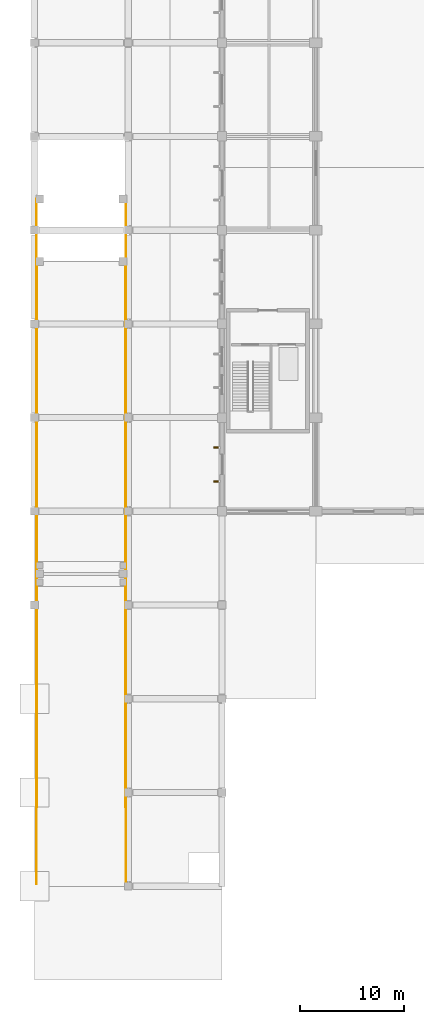
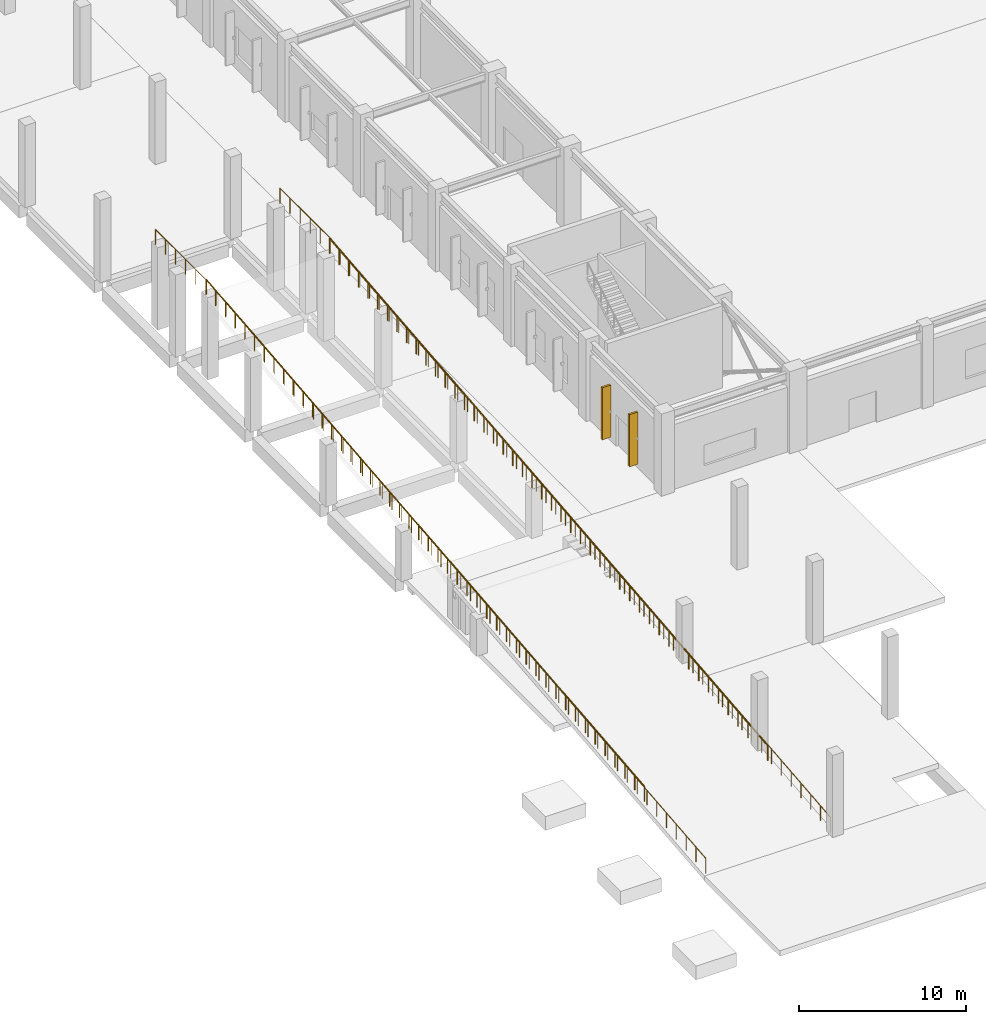
# One storey, part 77 of 91: 6 railings, 2 shading devices.
"""IFC4 building model written with IfcOpenShell, lengths in metres."""

from ifc_helpers import new_model, si_unit, direction, frame, origin, origin_2d, place, context, subcontext, project, spatial, rectangle, circle, extrude, material, layer, layer_set, type_object, element, save


model = new_model("IFC4")

# Units and contexts
model_context = context("Model", 3, precision=1e-05, world=origin(), true_north=direction((0.0, 1.0)))
body_context = subcontext(model_context, "Body", "Model", "MODEL_VIEW")
ifc_project = project(units=[si_unit("LENGTHUNIT", "METRE"), si_unit("AREAUNIT", "SQUARE_METRE"), si_unit("VOLUMEUNIT", "CUBIC_METRE"), si_unit("PLANEANGLEUNIT", "RADIAN"), si_unit("MASSUNIT", "GRAM", prefix="KILO")], contexts=[model_context])

# Site, building, storey
site_placement = place(None, origin())
site = spatial("IfcSite", under=ifc_project, at=site_placement, CompositionType="ELEMENT")
building_placement = place(site_placement, origin())
building = spatial("IfcBuilding", under=site, at=building_placement, Name="Dornveld Trade and Exhibition Forum", CompositionType="ELEMENT")
storey_placement = place(building_placement, origin())
storey = spatial("IfcBuildingStorey", under=building, at=storey_placement, Name="L00", CompositionType="ELEMENT", Elevation=0.0)

# Railings
ifc_material_1 = material(Name="Galvanised steel S355J2 balustrade", Category="steel")
railing_type = type_object("IfcRailingType", Name="RL-GUARD-TERR", PredefinedType="GUARDRAIL", material=ifc_material_1)
railing_1_placement = place(storey_placement, frame((0.25, 7.60009765625, 0.760009765625)))
element("IfcRailing", 1, at=railing_1_placement, inside=storey, type_object=railing_type, Name="Viaduct ramp W edge guard 1", PredefinedType="GUARDRAIL", context=body_context, shape_type="SweptSolid", body=[
    extrude(circle(Radius=0.02392578125, at=origin_2d()), frame((0.0, 0.0, 1.076171875), z_axis=(0.0, 0.99503719021, 0.099503719021), x_axis=(-1.0, 0.0, 0.0)), (0.0, 0.0, 1.0), 22.51171875),
    extrude(circle(Radius=0.02099609375, at=origin_2d()), origin(), (0.0, 0.0, 1.0), 1.052001953125),
    extrude(circle(Radius=0.02099609375, at=origin_2d()), frame((0.0, 1.178955078125, 0.117919921875)), (0.0, 0.0, 1.0), 1.052001953125),
    extrude(circle(Radius=0.02099609375, at=origin_2d()), frame((0.0, 2.35791015625, 0.23583984375)), (0.0, 0.0, 1.0), 1.052001953125),
    extrude(circle(Radius=0.02099609375, at=origin_2d()), frame((0.0, 3.536865234375, 0.353759765625)), (0.0, 0.0, 1.0), 1.052001953125),
    extrude(circle(Radius=0.02099609375, at=origin_2d()), frame((0.0, 4.7158203125, 0.4716796875)), (0.0, 0.0, 1.0), 1.052001953125),
    extrude(circle(Radius=0.02099609375, at=origin_2d()), frame((0.0, 5.894775390625, 0.58935546875)), (0.0, 0.0, 1.0), 1.052001953125),
    extrude(circle(Radius=0.02099609375, at=origin_2d()), frame((0.0, 7.07373046875, 0.707275390625)), (0.0, 0.0, 1.0), 1.052001953125),
    extrude(circle(Radius=0.02099609375, at=origin_2d()), frame((0.0, 8.252685546875, 0.8251953125)), (0.0, 0.0, 1.0), 1.052001953125),
    extrude(circle(Radius=0.02099609375, at=origin_2d()), frame((0.0, 9.431640625, 0.943115234375)), (0.0, 0.0, 1.0), 1.052001953125),
    extrude(circle(Radius=0.02099609375, at=origin_2d()), frame((0.0, 10.610595703125, 1.06103515625)), (0.0, 0.0, 1.0), 1.052001953125),
    extrude(circle(Radius=0.02099609375, at=origin_2d()), frame((0.0, 11.789306640625, 1.178955078125)), (0.0, 0.0, 1.0), 1.052001953125),
    extrude(circle(Radius=0.02099609375, at=origin_2d()), frame((0.0, 12.96826171875, 1.296875)), (0.0, 0.0, 1.0), 1.052001953125),
    extrude(circle(Radius=0.02099609375, at=origin_2d()), frame((0.0, 14.147216796875, 1.414794921875)), (0.0, 0.0, 1.0), 1.052001953125),
    extrude(circle(Radius=0.02099609375, at=origin_2d()), frame((0.0, 15.326171875, 1.53271484375)), (0.0, 0.0, 1.0), 1.052001953125),
    extrude(circle(Radius=0.02099609375, at=origin_2d()), frame((0.0, 16.505126953125, 1.650634765625)), (0.0, 0.0, 1.0), 1.052001953125),
    extrude(circle(Radius=0.02099609375, at=origin_2d()), frame((0.0, 17.68408203125, 1.768310546875)), (0.0, 0.0, 1.0), 1.052001953125),
    extrude(circle(Radius=0.02099609375, at=origin_2d()), frame((0.0, 18.863037109375, 1.88623046875)), (0.0, 0.0, 1.0), 1.052001953125),
    extrude(circle(Radius=0.02099609375, at=origin_2d()), frame((0.0, 20.0419921875, 2.004150390625)), (0.0, 0.0, 1.0), 1.052001953125),
    extrude(circle(Radius=0.02099609375, at=origin_2d()), frame((0.0, 21.220947265625, 2.1220703125)), (0.0, 0.0, 1.0), 1.052001953125),
    extrude(circle(Radius=0.02099609375, at=origin_2d()), frame((0.0, 22.39990234375, 2.239990234375)), (0.0, 0.0, 1.0), 1.052001953125),
])
railing_2_placement = place(storey_placement, frame((8.75, 7.60009765625, 0.760009765625)))
element("IfcRailing", 2, at=railing_2_placement, inside=storey, type_object=railing_type, Name="Viaduct ramp E edge guard 1", PredefinedType="GUARDRAIL", context=body_context, shape_type="SweptSolid", body=[
    extrude(circle(Radius=0.02392578125, at=origin_2d()), frame((0.0, 0.0, 1.076171875), z_axis=(0.0, 0.99503719021, 0.099503719021), x_axis=(-1.0, 0.0, 0.0)), (0.0, 0.0, 1.0), 22.51171875),
    extrude(circle(Radius=0.02099609375, at=origin_2d()), origin(), (0.0, 0.0, 1.0), 1.052001953125),
    extrude(circle(Radius=0.02099609375, at=origin_2d()), frame((0.0, 1.178955078125, 0.117919921875)), (0.0, 0.0, 1.0), 1.052001953125),
    extrude(circle(Radius=0.02099609375, at=origin_2d()), frame((0.0, 2.35791015625, 0.23583984375)), (0.0, 0.0, 1.0), 1.052001953125),
    extrude(circle(Radius=0.02099609375, at=origin_2d()), frame((0.0, 3.536865234375, 0.353759765625)), (0.0, 0.0, 1.0), 1.052001953125),
    extrude(circle(Radius=0.02099609375, at=origin_2d()), frame((0.0, 4.7158203125, 0.4716796875)), (0.0, 0.0, 1.0), 1.052001953125),
    extrude(circle(Radius=0.02099609375, at=origin_2d()), frame((0.0, 5.894775390625, 0.58935546875)), (0.0, 0.0, 1.0), 1.052001953125),
    extrude(circle(Radius=0.02099609375, at=origin_2d()), frame((0.0, 7.07373046875, 0.707275390625)), (0.0, 0.0, 1.0), 1.052001953125),
    extrude(circle(Radius=0.02099609375, at=origin_2d()), frame((0.0, 8.252685546875, 0.8251953125)), (0.0, 0.0, 1.0), 1.052001953125),
    extrude(circle(Radius=0.02099609375, at=origin_2d()), frame((0.0, 9.431640625, 0.943115234375)), (0.0, 0.0, 1.0), 1.052001953125),
    extrude(circle(Radius=0.02099609375, at=origin_2d()), frame((0.0, 10.610595703125, 1.06103515625)), (0.0, 0.0, 1.0), 1.052001953125),
    extrude(circle(Radius=0.02099609375, at=origin_2d()), frame((0.0, 11.789306640625, 1.178955078125)), (0.0, 0.0, 1.0), 1.052001953125),
    extrude(circle(Radius=0.02099609375, at=origin_2d()), frame((0.0, 12.96826171875, 1.296875)), (0.0, 0.0, 1.0), 1.052001953125),
    extrude(circle(Radius=0.02099609375, at=origin_2d()), frame((0.0, 14.147216796875, 1.414794921875)), (0.0, 0.0, 1.0), 1.052001953125),
    extrude(circle(Radius=0.02099609375, at=origin_2d()), frame((0.0, 15.326171875, 1.53271484375)), (0.0, 0.0, 1.0), 1.052001953125),
    extrude(circle(Radius=0.02099609375, at=origin_2d()), frame((0.0, 16.505126953125, 1.650634765625)), (0.0, 0.0, 1.0), 1.052001953125),
    extrude(circle(Radius=0.02099609375, at=origin_2d()), frame((0.0, 17.68408203125, 1.768310546875)), (0.0, 0.0, 1.0), 1.052001953125),
    extrude(circle(Radius=0.02099609375, at=origin_2d()), frame((0.0, 18.863037109375, 1.88623046875)), (0.0, 0.0, 1.0), 1.052001953125),
    extrude(circle(Radius=0.02099609375, at=origin_2d()), frame((0.0, 20.0419921875, 2.004150390625)), (0.0, 0.0, 1.0), 1.052001953125),
    extrude(circle(Radius=0.02099609375, at=origin_2d()), frame((0.0, 21.220947265625, 2.1220703125)), (0.0, 0.0, 1.0), 1.052001953125),
    extrude(circle(Radius=0.02099609375, at=origin_2d()), frame((0.0, 22.39990234375, 2.239990234375)), (0.0, 0.0, 1.0), 1.052001953125),
])
railing_3_placement = place(storey_placement, frame((0.25, 30.0, 3.0)))
element("IfcRailing", 3, at=railing_3_placement, inside=storey, type_object=railing_type, Name="Viaduct ramp W edge guard 2", PredefinedType="GUARDRAIL", context=body_context, shape_type="SweptSolid", body=[
    extrude(circle(Radius=0.02392578125, at=origin_2d()), frame((0.0, 0.0, 1.076171875), z_axis=(0.0, 0.99503719021, 0.099503719021), x_axis=(-1.0, 0.0, 0.0)), (0.0, 0.0, 1.0), 30.149658203125),
    extrude(circle(Radius=0.02099609375, at=origin_2d()), origin(), (0.0, 0.0, 1.0), 1.052001953125),
    extrude(circle(Radius=0.02099609375, at=origin_2d()), frame((0.0, 1.15380859375, 0.115478515625)), (0.0, 0.0, 1.0), 1.052001953125),
    extrude(circle(Radius=0.02099609375, at=origin_2d()), frame((0.0, 2.3076171875, 0.230712890625)), (0.0, 0.0, 1.0), 1.052001953125),
    extrude(circle(Radius=0.02099609375, at=origin_2d()), frame((0.0, 3.46142578125, 0.34619140625)), (0.0, 0.0, 1.0), 1.052001953125),
    extrude(circle(Radius=0.02099609375, at=origin_2d()), frame((0.0, 4.615478515625, 0.46142578125)), (0.0, 0.0, 1.0), 1.052001953125),
    extrude(circle(Radius=0.02099609375, at=origin_2d()), frame((0.0, 5.769287109375, 0.576904296875)), (0.0, 0.0, 1.0), 1.052001953125),
    extrude(circle(Radius=0.02099609375, at=origin_2d()), frame((0.0, 6.923095703125, 0.6923828125)), (0.0, 0.0, 1.0), 1.052001953125),
    extrude(circle(Radius=0.02099609375, at=origin_2d()), frame((0.0, 8.076904296875, 0.8076171875)), (0.0, 0.0, 1.0), 1.052001953125),
    extrude(circle(Radius=0.02099609375, at=origin_2d()), frame((0.0, 9.230712890625, 0.923095703125)), (0.0, 0.0, 1.0), 1.052001953125),
    extrude(circle(Radius=0.02099609375, at=origin_2d()), frame((0.0, 10.384521484375, 1.03857421875)), (0.0, 0.0, 1.0), 1.052001953125),
    extrude(circle(Radius=0.02099609375, at=origin_2d()), frame((0.0, 11.53857421875, 1.15380859375)), (0.0, 0.0, 1.0), 1.052001953125),
    extrude(circle(Radius=0.02099609375, at=origin_2d()), frame((0.0, 12.6923828125, 1.269287109375)), (0.0, 0.0, 1.0), 1.052001953125),
    extrude(circle(Radius=0.02099609375, at=origin_2d()), frame((0.0, 13.84619140625, 1.384521484375)), (0.0, 0.0, 1.0), 1.052001953125),
    extrude(circle(Radius=0.02099609375, at=origin_2d()), frame((0.0, 15.0, 1.5)), (0.0, 0.0, 1.0), 1.052001953125),
    extrude(circle(Radius=0.02099609375, at=origin_2d()), frame((0.0, 16.15380859375, 1.615478515625)), (0.0, 0.0, 1.0), 1.052001953125),
    extrude(circle(Radius=0.02099609375, at=origin_2d()), frame((0.0, 17.3076171875, 1.730712890625)), (0.0, 0.0, 1.0), 1.052001953125),
    extrude(circle(Radius=0.02099609375, at=origin_2d()), frame((0.0, 18.46142578125, 1.84619140625)), (0.0, 0.0, 1.0), 1.052001953125),
    extrude(circle(Radius=0.02099609375, at=origin_2d()), frame((0.0, 19.615478515625, 1.96142578125)), (0.0, 0.0, 1.0), 1.052001953125),
    extrude(circle(Radius=0.02099609375, at=origin_2d()), frame((0.0, 20.769287109375, 2.076904296875)), (0.0, 0.0, 1.0), 1.052001953125),
    extrude(circle(Radius=0.02099609375, at=origin_2d()), frame((0.0, 21.923095703125, 2.1923828125)), (0.0, 0.0, 1.0), 1.052001953125),
    extrude(circle(Radius=0.02099609375, at=origin_2d()), frame((0.0, 23.076904296875, 2.3076171875)), (0.0, 0.0, 1.0), 1.052001953125),
    extrude(circle(Radius=0.02099609375, at=origin_2d()), frame((0.0, 24.230712890625, 2.423095703125)), (0.0, 0.0, 1.0), 1.052001953125),
    extrude(circle(Radius=0.02099609375, at=origin_2d()), frame((0.0, 25.384521484375, 2.53857421875)), (0.0, 0.0, 1.0), 1.052001953125),
    extrude(circle(Radius=0.02099609375, at=origin_2d()), frame((0.0, 26.53857421875, 2.65380859375)), (0.0, 0.0, 1.0), 1.052001953125),
    extrude(circle(Radius=0.02099609375, at=origin_2d()), frame((0.0, 27.6923828125, 2.769287109375)), (0.0, 0.0, 1.0), 1.052001953125),
    extrude(circle(Radius=0.02099609375, at=origin_2d()), frame((0.0, 28.84619140625, 2.884521484375)), (0.0, 0.0, 1.0), 1.052001953125),
    extrude(circle(Radius=0.02099609375, at=origin_2d()), frame((0.0, 30.0, 3.0)), (0.0, 0.0, 1.0), 1.052001953125),
])
railing_4_placement = place(storey_placement, frame((8.75, 30.0, 3.0)))
element("IfcRailing", 4, at=railing_4_placement, inside=storey, type_object=railing_type, Name="Viaduct ramp E edge guard 2", PredefinedType="GUARDRAIL", context=body_context, shape_type="SweptSolid", body=[
    extrude(circle(Radius=0.02392578125, at=origin_2d()), frame((0.0, 0.0, 1.076171875), z_axis=(0.0, 0.99503719021, 0.099503719021), x_axis=(-1.0, 0.0, 0.0)), (0.0, 0.0, 1.0), 30.149658203125),
    extrude(circle(Radius=0.02099609375, at=origin_2d()), origin(), (0.0, 0.0, 1.0), 1.052001953125),
    extrude(circle(Radius=0.02099609375, at=origin_2d()), frame((0.0, 1.15380859375, 0.115478515625)), (0.0, 0.0, 1.0), 1.052001953125),
    extrude(circle(Radius=0.02099609375, at=origin_2d()), frame((0.0, 2.3076171875, 0.230712890625)), (0.0, 0.0, 1.0), 1.052001953125),
    extrude(circle(Radius=0.02099609375, at=origin_2d()), frame((0.0, 3.46142578125, 0.34619140625)), (0.0, 0.0, 1.0), 1.052001953125),
    extrude(circle(Radius=0.02099609375, at=origin_2d()), frame((0.0, 4.615478515625, 0.46142578125)), (0.0, 0.0, 1.0), 1.052001953125),
    extrude(circle(Radius=0.02099609375, at=origin_2d()), frame((0.0, 5.769287109375, 0.576904296875)), (0.0, 0.0, 1.0), 1.052001953125),
    extrude(circle(Radius=0.02099609375, at=origin_2d()), frame((0.0, 6.923095703125, 0.6923828125)), (0.0, 0.0, 1.0), 1.052001953125),
    extrude(circle(Radius=0.02099609375, at=origin_2d()), frame((0.0, 8.076904296875, 0.8076171875)), (0.0, 0.0, 1.0), 1.052001953125),
    extrude(circle(Radius=0.02099609375, at=origin_2d()), frame((0.0, 9.230712890625, 0.923095703125)), (0.0, 0.0, 1.0), 1.052001953125),
    extrude(circle(Radius=0.02099609375, at=origin_2d()), frame((0.0, 10.384521484375, 1.03857421875)), (0.0, 0.0, 1.0), 1.052001953125),
    extrude(circle(Radius=0.02099609375, at=origin_2d()), frame((0.0, 11.53857421875, 1.15380859375)), (0.0, 0.0, 1.0), 1.052001953125),
    extrude(circle(Radius=0.02099609375, at=origin_2d()), frame((0.0, 12.6923828125, 1.269287109375)), (0.0, 0.0, 1.0), 1.052001953125),
    extrude(circle(Radius=0.02099609375, at=origin_2d()), frame((0.0, 13.84619140625, 1.384521484375)), (0.0, 0.0, 1.0), 1.052001953125),
    extrude(circle(Radius=0.02099609375, at=origin_2d()), frame((0.0, 15.0, 1.5)), (0.0, 0.0, 1.0), 1.052001953125),
    extrude(circle(Radius=0.02099609375, at=origin_2d()), frame((0.0, 16.15380859375, 1.615478515625)), (0.0, 0.0, 1.0), 1.052001953125),
    extrude(circle(Radius=0.02099609375, at=origin_2d()), frame((0.0, 17.3076171875, 1.730712890625)), (0.0, 0.0, 1.0), 1.052001953125),
    extrude(circle(Radius=0.02099609375, at=origin_2d()), frame((0.0, 18.46142578125, 1.84619140625)), (0.0, 0.0, 1.0), 1.052001953125),
    extrude(circle(Radius=0.02099609375, at=origin_2d()), frame((0.0, 19.615478515625, 1.96142578125)), (0.0, 0.0, 1.0), 1.052001953125),
    extrude(circle(Radius=0.02099609375, at=origin_2d()), frame((0.0, 20.769287109375, 2.076904296875)), (0.0, 0.0, 1.0), 1.052001953125),
    extrude(circle(Radius=0.02099609375, at=origin_2d()), frame((0.0, 21.923095703125, 2.1923828125)), (0.0, 0.0, 1.0), 1.052001953125),
    extrude(circle(Radius=0.02099609375, at=origin_2d()), frame((0.0, 23.076904296875, 2.3076171875)), (0.0, 0.0, 1.0), 1.052001953125),
    extrude(circle(Radius=0.02099609375, at=origin_2d()), frame((0.0, 24.230712890625, 2.423095703125)), (0.0, 0.0, 1.0), 1.052001953125),
    extrude(circle(Radius=0.02099609375, at=origin_2d()), frame((0.0, 25.384521484375, 2.53857421875)), (0.0, 0.0, 1.0), 1.052001953125),
    extrude(circle(Radius=0.02099609375, at=origin_2d()), frame((0.0, 26.53857421875, 2.65380859375)), (0.0, 0.0, 1.0), 1.052001953125),
    extrude(circle(Radius=0.02099609375, at=origin_2d()), frame((0.0, 27.6923828125, 2.769287109375)), (0.0, 0.0, 1.0), 1.052001953125),
    extrude(circle(Radius=0.02099609375, at=origin_2d()), frame((0.0, 28.84619140625, 2.884521484375)), (0.0, 0.0, 1.0), 1.052001953125),
    extrude(circle(Radius=0.02099609375, at=origin_2d()), frame((0.0, 30.0, 3.0)), (0.0, 0.0, 1.0), 1.052001953125),
])
railing_5_placement = place(storey_placement, frame((0.199951171875, 0.199951171875, 0.0)))
element("IfcRailing", 5, at=railing_5_placement, inside=storey, type_object=railing_type, Name="L00 protective edge guard 9", PredefinedType="GUARDRAIL", context=body_context, shape_type="SweptSolid", body=[
    extrude(circle(Radius=0.02490234375, at=origin_2d()), frame((0.0, 0.0, 1.09521484375), z_axis=(0.0, 0.995004195508, 0.099833115358), x_axis=(-1.0, 0.0, 0.0)), (0.0, 0.0, 1.0), 60.100341796875),
    extrude(circle(Radius=0.02490234375, at=origin_2d()), frame((0.0, 59.800048828125, 7.09521484375), z_axis=(0.0, 1.0, 0.0), x_axis=(-1.0, 0.0, 0.0)), (0.0, 0.0, 1.0), 6.0),
    extrude(circle(Radius=0.02099609375, at=origin_2d()), origin(), (0.0, 0.0, 1.0), 1.070068359375),
    extrude(circle(Radius=0.02099609375, at=origin_2d()), frame((0.0, 1.172607421875, 0.11767578125)), (0.0, 0.0, 1.0), 1.070068359375),
    extrude(circle(Radius=0.02099609375, at=origin_2d()), frame((0.0, 2.34521484375, 0.2353515625)), (0.0, 0.0, 1.0), 1.070068359375),
    extrude(circle(Radius=0.02099609375, at=origin_2d()), frame((0.0, 3.517578125, 0.35302734375)), (0.0, 0.0, 1.0), 1.070068359375),
    extrude(circle(Radius=0.02099609375, at=origin_2d()), frame((0.0, 4.690185546875, 0.470703125)), (0.0, 0.0, 1.0), 1.070068359375),
    extrude(circle(Radius=0.02099609375, at=origin_2d()), frame((0.0, 5.86279296875, 0.588134765625)), (0.0, 0.0, 1.0), 1.070068359375),
    extrude(circle(Radius=0.02099609375, at=origin_2d()), frame((0.0, 7.035400390625, 0.705810546875)), (0.0, 0.0, 1.0), 1.070068359375),
    extrude(circle(Radius=0.02099609375, at=origin_2d()), frame((0.0, 8.207763671875, 0.823486328125)), (0.0, 0.0, 1.0), 1.070068359375),
    extrude(circle(Radius=0.02099609375, at=origin_2d()), frame((0.0, 9.38037109375, 0.941162109375)), (0.0, 0.0, 1.0), 1.070068359375),
    extrude(circle(Radius=0.02099609375, at=origin_2d()), frame((0.0, 10.552978515625, 1.058837890625)), (0.0, 0.0, 1.0), 1.070068359375),
    extrude(circle(Radius=0.02099609375, at=origin_2d()), frame((0.0, 11.7255859375, 1.176513671875)), (0.0, 0.0, 1.0), 1.070068359375),
    extrude(circle(Radius=0.02099609375, at=origin_2d()), frame((0.0, 12.89794921875, 1.294189453125)), (0.0, 0.0, 1.0), 1.070068359375),
    extrude(circle(Radius=0.02099609375, at=origin_2d()), frame((0.0, 14.070556640625, 1.411865234375)), (0.0, 0.0, 1.0), 1.070068359375),
    extrude(circle(Radius=0.02099609375, at=origin_2d()), frame((0.0, 15.2431640625, 1.529296875)), (0.0, 0.0, 1.0), 1.070068359375),
    extrude(circle(Radius=0.02099609375, at=origin_2d()), frame((0.0, 16.415771484375, 1.64697265625)), (0.0, 0.0, 1.0), 1.070068359375),
    extrude(circle(Radius=0.02099609375, at=origin_2d()), frame((0.0, 17.588134765625, 1.7646484375)), (0.0, 0.0, 1.0), 1.070068359375),
    extrude(circle(Radius=0.02099609375, at=origin_2d()), frame((0.0, 18.7607421875, 1.88232421875)), (0.0, 0.0, 1.0), 1.070068359375),
    extrude(circle(Radius=0.02099609375, at=origin_2d()), frame((0.0, 19.933349609375, 2.0)), (0.0, 0.0, 1.0), 1.070068359375),
    extrude(circle(Radius=0.02099609375, at=origin_2d()), frame((0.0, 21.10595703125, 2.11767578125)), (0.0, 0.0, 1.0), 1.070068359375),
    extrude(circle(Radius=0.02099609375, at=origin_2d()), frame((0.0, 22.278564453125, 2.2353515625)), (0.0, 0.0, 1.0), 1.070068359375),
    extrude(circle(Radius=0.02099609375, at=origin_2d()), frame((0.0, 23.450927734375, 2.35302734375)), (0.0, 0.0, 1.0), 1.070068359375),
    extrude(circle(Radius=0.02099609375, at=origin_2d()), frame((0.0, 24.62353515625, 2.470703125)), (0.0, 0.0, 1.0), 1.070068359375),
    extrude(circle(Radius=0.02099609375, at=origin_2d()), frame((0.0, 25.796142578125, 2.588134765625)), (0.0, 0.0, 1.0), 1.070068359375),
    extrude(circle(Radius=0.02099609375, at=origin_2d()), frame((0.0, 26.96875, 2.705810546875)), (0.0, 0.0, 1.0), 1.070068359375),
    extrude(circle(Radius=0.02099609375, at=origin_2d()), frame((0.0, 28.14111328125, 2.823486328125)), (0.0, 0.0, 1.0), 1.070068359375),
    extrude(circle(Radius=0.02099609375, at=origin_2d()), frame((0.0, 29.313720703125, 2.941162109375)), (0.0, 0.0, 1.0), 1.070068359375),
    extrude(circle(Radius=0.02099609375, at=origin_2d()), frame((0.0, 30.486328125, 3.058837890625)), (0.0, 0.0, 1.0), 1.070068359375),
    extrude(circle(Radius=0.02099609375, at=origin_2d()), frame((0.0, 31.658935546875, 3.176513671875)), (0.0, 0.0, 1.0), 1.070068359375),
    extrude(circle(Radius=0.02099609375, at=origin_2d()), frame((0.0, 32.831298828125, 3.294189453125)), (0.0, 0.0, 1.0), 1.070068359375),
    extrude(circle(Radius=0.02099609375, at=origin_2d()), frame((0.0, 34.00390625, 3.411865234375)), (0.0, 0.0, 1.0), 1.070068359375),
    extrude(circle(Radius=0.02099609375, at=origin_2d()), frame((0.0, 35.176513671875, 3.529296875)), (0.0, 0.0, 1.0), 1.070068359375),
    extrude(circle(Radius=0.02099609375, at=origin_2d()), frame((0.0, 36.34912109375, 3.64697265625)), (0.0, 0.0, 1.0), 1.070068359375),
    extrude(circle(Radius=0.02099609375, at=origin_2d()), frame((0.0, 37.521484375, 3.7646484375)), (0.0, 0.0, 1.0), 1.070068359375),
    extrude(circle(Radius=0.02099609375, at=origin_2d()), frame((0.0, 38.694091796875, 3.88232421875)), (0.0, 0.0, 1.0), 1.070068359375),
    extrude(circle(Radius=0.02099609375, at=origin_2d()), frame((0.0, 39.86669921875, 4.0)), (0.0, 0.0, 1.0), 1.070068359375),
    extrude(circle(Radius=0.02099609375, at=origin_2d()), frame((0.0, 41.039306640625, 4.11767578125)), (0.0, 0.0, 1.0), 1.070068359375),
    extrude(circle(Radius=0.02099609375, at=origin_2d()), frame((0.0, 42.2119140625, 4.2353515625)), (0.0, 0.0, 1.0), 1.070068359375),
    extrude(circle(Radius=0.02099609375, at=origin_2d()), frame((0.0, 43.38427734375, 4.35302734375)), (0.0, 0.0, 1.0), 1.070068359375),
    extrude(circle(Radius=0.02099609375, at=origin_2d()), frame((0.0, 44.556884765625, 4.470703125)), (0.0, 0.0, 1.0), 1.070068359375),
    extrude(circle(Radius=0.02099609375, at=origin_2d()), frame((0.0, 45.7294921875, 4.588134765625)), (0.0, 0.0, 1.0), 1.070068359375),
    extrude(circle(Radius=0.02099609375, at=origin_2d()), frame((0.0, 46.902099609375, 4.705810546875)), (0.0, 0.0, 1.0), 1.070068359375),
    extrude(circle(Radius=0.02099609375, at=origin_2d()), frame((0.0, 48.074462890625, 4.823486328125)), (0.0, 0.0, 1.0), 1.070068359375),
    extrude(circle(Radius=0.02099609375, at=origin_2d()), frame((0.0, 49.2470703125, 4.941162109375)), (0.0, 0.0, 1.0), 1.070068359375),
    extrude(circle(Radius=0.02099609375, at=origin_2d()), frame((0.0, 50.419677734375, 5.058837890625)), (0.0, 0.0, 1.0), 1.070068359375),
    extrude(circle(Radius=0.02099609375, at=origin_2d()), frame((0.0, 51.59228515625, 5.176513671875)), (0.0, 0.0, 1.0), 1.070068359375),
    extrude(circle(Radius=0.02099609375, at=origin_2d()), frame((0.0, 52.7646484375, 5.294189453125)), (0.0, 0.0, 1.0), 1.070068359375),
    extrude(circle(Radius=0.02099609375, at=origin_2d()), frame((0.0, 53.937255859375, 5.411865234375)), (0.0, 0.0, 1.0), 1.070068359375),
    extrude(circle(Radius=0.02099609375, at=origin_2d()), frame((0.0, 55.10986328125, 5.529296875)), (0.0, 0.0, 1.0), 1.070068359375),
    extrude(circle(Radius=0.02099609375, at=origin_2d()), frame((0.0, 56.282470703125, 5.64697265625)), (0.0, 0.0, 1.0), 1.070068359375),
    extrude(circle(Radius=0.02099609375, at=origin_2d()), frame((0.0, 57.454833984375, 5.7646484375)), (0.0, 0.0, 1.0), 1.070068359375),
    extrude(circle(Radius=0.02099609375, at=origin_2d()), frame((0.0, 58.62744140625, 5.88232421875)), (0.0, 0.0, 1.0), 1.070068359375),
    extrude(circle(Radius=0.02099609375, at=origin_2d()), frame((0.0, 59.800048828125, 6.0)), (0.0, 0.0, 1.0), 1.070068359375),
    extrude(circle(Radius=0.02099609375, at=origin_2d()), frame((0.0, 61.0, 6.0)), (0.0, 0.0, 1.0), 1.070068359375),
    extrude(circle(Radius=0.02099609375, at=origin_2d()), frame((0.0, 62.199951171875, 6.0)), (0.0, 0.0, 1.0), 1.070068359375),
    extrude(circle(Radius=0.02099609375, at=origin_2d()), frame((0.0, 63.400146484375, 6.0)), (0.0, 0.0, 1.0), 1.070068359375),
    extrude(circle(Radius=0.02099609375, at=origin_2d()), frame((0.0, 64.60009765625, 6.0)), (0.0, 0.0, 1.0), 1.070068359375),
    extrude(circle(Radius=0.02099609375, at=origin_2d()), frame((0.0, 65.800048828125, 6.0)), (0.0, 0.0, 1.0), 1.070068359375),
])
railing_6_placement = place(storey_placement, frame((8.800048828125, 0.199951171875, 0.0)))
element("IfcRailing", 6, at=railing_6_placement, inside=storey, type_object=railing_type, Name="L00 protective edge guard 10", PredefinedType="GUARDRAIL", context=body_context, shape_type="SweptSolid", body=[
    extrude(circle(Radius=0.02490234375, at=origin_2d()), frame((0.0, 0.0, 1.09521484375), z_axis=(0.0, 0.995004195508, 0.099833115358), x_axis=(-1.0, 0.0, 0.0)), (0.0, 0.0, 1.0), 60.100341796875),
    extrude(circle(Radius=0.02490234375, at=origin_2d()), frame((0.0, 59.800048828125, 7.09521484375), z_axis=(0.0, 1.0, 0.0), x_axis=(-1.0, 0.0, 0.0)), (0.0, 0.0, 1.0), 6.0),
    extrude(circle(Radius=0.02099609375, at=origin_2d()), origin(), (0.0, 0.0, 1.0), 1.070068359375),
    extrude(circle(Radius=0.02099609375, at=origin_2d()), frame((0.0, 1.172607421875, 0.11767578125)), (0.0, 0.0, 1.0), 1.070068359375),
    extrude(circle(Radius=0.02099609375, at=origin_2d()), frame((0.0, 2.34521484375, 0.2353515625)), (0.0, 0.0, 1.0), 1.070068359375),
    extrude(circle(Radius=0.02099609375, at=origin_2d()), frame((0.0, 3.517578125, 0.35302734375)), (0.0, 0.0, 1.0), 1.070068359375),
    extrude(circle(Radius=0.02099609375, at=origin_2d()), frame((0.0, 4.690185546875, 0.470703125)), (0.0, 0.0, 1.0), 1.070068359375),
    extrude(circle(Radius=0.02099609375, at=origin_2d()), frame((0.0, 5.86279296875, 0.588134765625)), (0.0, 0.0, 1.0), 1.070068359375),
    extrude(circle(Radius=0.02099609375, at=origin_2d()), frame((0.0, 7.035400390625, 0.705810546875)), (0.0, 0.0, 1.0), 1.070068359375),
    extrude(circle(Radius=0.02099609375, at=origin_2d()), frame((0.0, 8.207763671875, 0.823486328125)), (0.0, 0.0, 1.0), 1.070068359375),
    extrude(circle(Radius=0.02099609375, at=origin_2d()), frame((0.0, 9.38037109375, 0.941162109375)), (0.0, 0.0, 1.0), 1.070068359375),
    extrude(circle(Radius=0.02099609375, at=origin_2d()), frame((0.0, 10.552978515625, 1.058837890625)), (0.0, 0.0, 1.0), 1.070068359375),
    extrude(circle(Radius=0.02099609375, at=origin_2d()), frame((0.0, 11.7255859375, 1.176513671875)), (0.0, 0.0, 1.0), 1.070068359375),
    extrude(circle(Radius=0.02099609375, at=origin_2d()), frame((0.0, 12.89794921875, 1.294189453125)), (0.0, 0.0, 1.0), 1.070068359375),
    extrude(circle(Radius=0.02099609375, at=origin_2d()), frame((0.0, 14.070556640625, 1.411865234375)), (0.0, 0.0, 1.0), 1.070068359375),
    extrude(circle(Radius=0.02099609375, at=origin_2d()), frame((0.0, 15.2431640625, 1.529296875)), (0.0, 0.0, 1.0), 1.070068359375),
    extrude(circle(Radius=0.02099609375, at=origin_2d()), frame((0.0, 16.415771484375, 1.64697265625)), (0.0, 0.0, 1.0), 1.070068359375),
    extrude(circle(Radius=0.02099609375, at=origin_2d()), frame((0.0, 17.588134765625, 1.7646484375)), (0.0, 0.0, 1.0), 1.070068359375),
    extrude(circle(Radius=0.02099609375, at=origin_2d()), frame((0.0, 18.7607421875, 1.88232421875)), (0.0, 0.0, 1.0), 1.070068359375),
    extrude(circle(Radius=0.02099609375, at=origin_2d()), frame((0.0, 19.933349609375, 2.0)), (0.0, 0.0, 1.0), 1.070068359375),
    extrude(circle(Radius=0.02099609375, at=origin_2d()), frame((0.0, 21.10595703125, 2.11767578125)), (0.0, 0.0, 1.0), 1.070068359375),
    extrude(circle(Radius=0.02099609375, at=origin_2d()), frame((0.0, 22.278564453125, 2.2353515625)), (0.0, 0.0, 1.0), 1.070068359375),
    extrude(circle(Radius=0.02099609375, at=origin_2d()), frame((0.0, 23.450927734375, 2.35302734375)), (0.0, 0.0, 1.0), 1.070068359375),
    extrude(circle(Radius=0.02099609375, at=origin_2d()), frame((0.0, 24.62353515625, 2.470703125)), (0.0, 0.0, 1.0), 1.070068359375),
    extrude(circle(Radius=0.02099609375, at=origin_2d()), frame((0.0, 25.796142578125, 2.588134765625)), (0.0, 0.0, 1.0), 1.070068359375),
    extrude(circle(Radius=0.02099609375, at=origin_2d()), frame((0.0, 26.96875, 2.705810546875)), (0.0, 0.0, 1.0), 1.070068359375),
    extrude(circle(Radius=0.02099609375, at=origin_2d()), frame((0.0, 28.14111328125, 2.823486328125)), (0.0, 0.0, 1.0), 1.070068359375),
    extrude(circle(Radius=0.02099609375, at=origin_2d()), frame((0.0, 29.313720703125, 2.941162109375)), (0.0, 0.0, 1.0), 1.070068359375),
    extrude(circle(Radius=0.02099609375, at=origin_2d()), frame((0.0, 30.486328125, 3.058837890625)), (0.0, 0.0, 1.0), 1.070068359375),
    extrude(circle(Radius=0.02099609375, at=origin_2d()), frame((0.0, 31.658935546875, 3.176513671875)), (0.0, 0.0, 1.0), 1.070068359375),
    extrude(circle(Radius=0.02099609375, at=origin_2d()), frame((0.0, 32.831298828125, 3.294189453125)), (0.0, 0.0, 1.0), 1.070068359375),
    extrude(circle(Radius=0.02099609375, at=origin_2d()), frame((0.0, 34.00390625, 3.411865234375)), (0.0, 0.0, 1.0), 1.070068359375),
    extrude(circle(Radius=0.02099609375, at=origin_2d()), frame((0.0, 35.176513671875, 3.529296875)), (0.0, 0.0, 1.0), 1.070068359375),
    extrude(circle(Radius=0.02099609375, at=origin_2d()), frame((0.0, 36.34912109375, 3.64697265625)), (0.0, 0.0, 1.0), 1.070068359375),
    extrude(circle(Radius=0.02099609375, at=origin_2d()), frame((0.0, 37.521484375, 3.7646484375)), (0.0, 0.0, 1.0), 1.070068359375),
    extrude(circle(Radius=0.02099609375, at=origin_2d()), frame((0.0, 38.694091796875, 3.88232421875)), (0.0, 0.0, 1.0), 1.070068359375),
    extrude(circle(Radius=0.02099609375, at=origin_2d()), frame((0.0, 39.86669921875, 4.0)), (0.0, 0.0, 1.0), 1.070068359375),
    extrude(circle(Radius=0.02099609375, at=origin_2d()), frame((0.0, 41.039306640625, 4.11767578125)), (0.0, 0.0, 1.0), 1.070068359375),
    extrude(circle(Radius=0.02099609375, at=origin_2d()), frame((0.0, 42.2119140625, 4.2353515625)), (0.0, 0.0, 1.0), 1.070068359375),
    extrude(circle(Radius=0.02099609375, at=origin_2d()), frame((0.0, 43.38427734375, 4.35302734375)), (0.0, 0.0, 1.0), 1.070068359375),
    extrude(circle(Radius=0.02099609375, at=origin_2d()), frame((0.0, 44.556884765625, 4.470703125)), (0.0, 0.0, 1.0), 1.070068359375),
    extrude(circle(Radius=0.02099609375, at=origin_2d()), frame((0.0, 45.7294921875, 4.588134765625)), (0.0, 0.0, 1.0), 1.070068359375),
    extrude(circle(Radius=0.02099609375, at=origin_2d()), frame((0.0, 46.902099609375, 4.705810546875)), (0.0, 0.0, 1.0), 1.070068359375),
    extrude(circle(Radius=0.02099609375, at=origin_2d()), frame((0.0, 48.074462890625, 4.823486328125)), (0.0, 0.0, 1.0), 1.070068359375),
    extrude(circle(Radius=0.02099609375, at=origin_2d()), frame((0.0, 49.2470703125, 4.941162109375)), (0.0, 0.0, 1.0), 1.070068359375),
    extrude(circle(Radius=0.02099609375, at=origin_2d()), frame((0.0, 50.419677734375, 5.058837890625)), (0.0, 0.0, 1.0), 1.070068359375),
    extrude(circle(Radius=0.02099609375, at=origin_2d()), frame((0.0, 51.59228515625, 5.176513671875)), (0.0, 0.0, 1.0), 1.070068359375),
    extrude(circle(Radius=0.02099609375, at=origin_2d()), frame((0.0, 52.7646484375, 5.294189453125)), (0.0, 0.0, 1.0), 1.070068359375),
    extrude(circle(Radius=0.02099609375, at=origin_2d()), frame((0.0, 53.937255859375, 5.411865234375)), (0.0, 0.0, 1.0), 1.070068359375),
    extrude(circle(Radius=0.02099609375, at=origin_2d()), frame((0.0, 55.10986328125, 5.529296875)), (0.0, 0.0, 1.0), 1.070068359375),
    extrude(circle(Radius=0.02099609375, at=origin_2d()), frame((0.0, 56.282470703125, 5.64697265625)), (0.0, 0.0, 1.0), 1.070068359375),
    extrude(circle(Radius=0.02099609375, at=origin_2d()), frame((0.0, 57.454833984375, 5.7646484375)), (0.0, 0.0, 1.0), 1.070068359375),
    extrude(circle(Radius=0.02099609375, at=origin_2d()), frame((0.0, 58.62744140625, 5.88232421875)), (0.0, 0.0, 1.0), 1.070068359375),
    extrude(circle(Radius=0.02099609375, at=origin_2d()), frame((0.0, 59.800048828125, 6.0)), (0.0, 0.0, 1.0), 1.070068359375),
    extrude(circle(Radius=0.02099609375, at=origin_2d()), frame((0.0, 61.0, 6.0)), (0.0, 0.0, 1.0), 1.070068359375),
    extrude(circle(Radius=0.02099609375, at=origin_2d()), frame((0.0, 62.199951171875, 6.0)), (0.0, 0.0, 1.0), 1.070068359375),
    extrude(circle(Radius=0.02099609375, at=origin_2d()), frame((0.0, 63.400146484375, 6.0)), (0.0, 0.0, 1.0), 1.070068359375),
    extrude(circle(Radius=0.02099609375, at=origin_2d()), frame((0.0, 64.60009765625, 6.0)), (0.0, 0.0, 1.0), 1.070068359375),
    extrude(circle(Radius=0.02099609375, at=origin_2d()), frame((0.0, 65.800048828125, 6.0)), (0.0, 0.0, 1.0), 1.070068359375),
])

# Shading devices
ifc_material_2 = material(Name="Precast concrete C50/60", Category="concrete")
ifc_layer = layer(ifc_material_2, 0.139892578125)
ifc_layer_set = layer_set([ifc_layer], Name="Precast concrete C50/60")
shading_device_type = type_object("IfcShadingDeviceType", Name="SHD-FIN-600", PredefinedType="JALOUSIE", material=ifc_layer_set)
for number, where, z_axis, x_axis, name in (
    (7, (17.52001953125, 42.1201171875, 0.2998046875), (0.0, 0.0, 1.0), (0.0, -1.0, 0.0), "L00 vertical solar brise-soleil fin 19"),
    (8, (17.52001953125, 38.8798828125, 0.2998046875), (0.0, 0.0, 1.0), (0.0, -1.0, 0.0), "L00 vertical solar brise-soleil fin 20"),
):
    element("IfcShadingDevice", number, at=place(storey_placement, frame(where, z_axis=z_axis, x_axis=x_axis)), inside=storey, type_object=shading_device_type, Name=name, PredefinedType="JALOUSIE", context=body_context, shape_type="SweptSolid", body=[
        extrude(rectangle(XDim=0.139892578125, YDim=0.60009765625, at=origin_2d()), origin(), (0.0, 0.0, 1.0), 3.800048828125),
    ])

save(model, "model.ifc")
